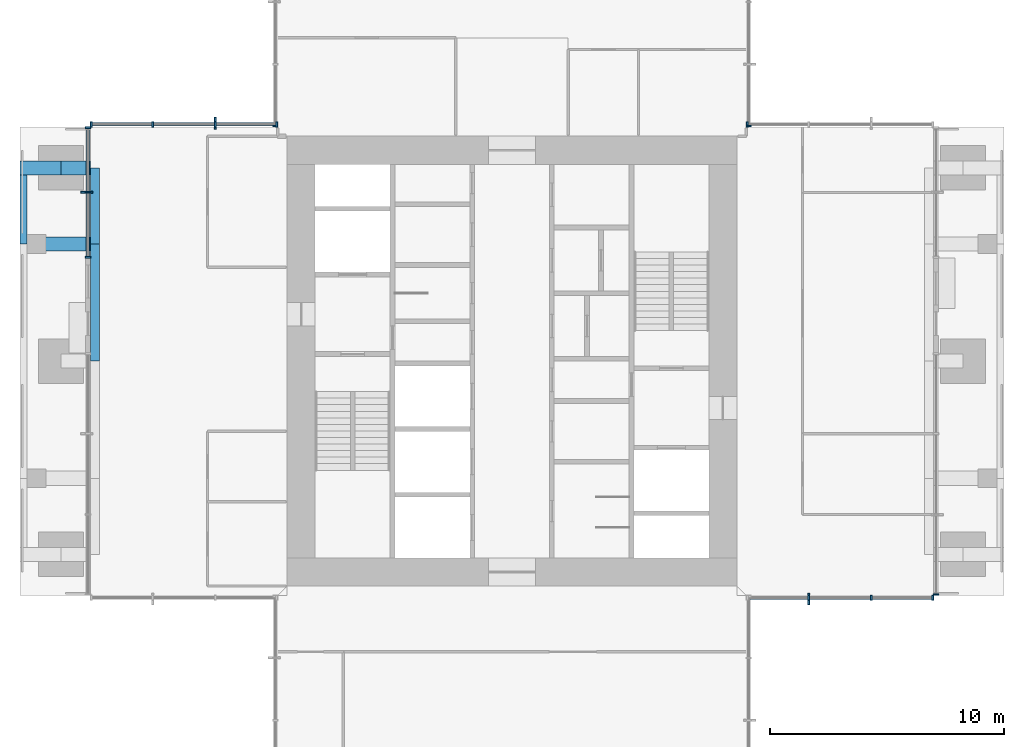
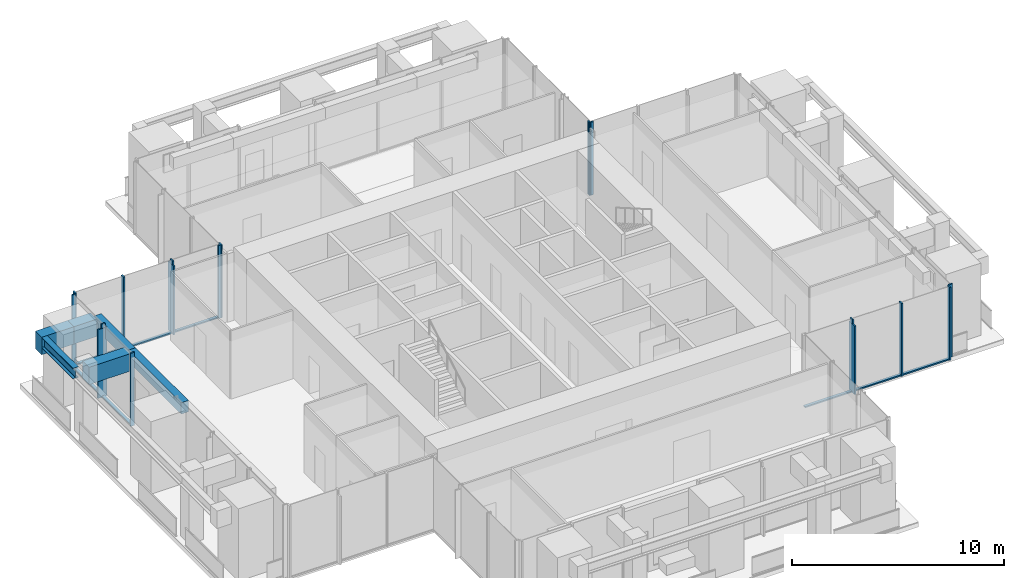
# One storey, part 3 of 12: 25 members, 6 beams, 7 elements without a shape of their own.
"""IFC4 building model written with IfcOpenShell, lengths in metres."""

import ifcopenshell
import ifcopenshell.guid

model = None  # the IFC model being written
_history = None  # IfcOwnerHistory: only IFC2X3 demands one
_inside = {}  # id of a spatial element -> (the spatial element, [elements in it])
_under = {}  # id of a project, library or spatial element -> (it, [spatial elements below it])
_declared = {}  # id of a project -> (the project, [libraries it declares])
_typed = {}  # id of a type object -> (the type object, [elements of that type])
_made_of = {}  # id of a material, layer set ... -> (it, [elements and type objects made of it])


def new_model(schema):
    """Start an empty IFC model of exactly this schema.

    Asked for "IFC4X3", IfcOpenShell would pick the latest addendum, in which some entities
    have other attributes; the version numbers below select the first issue.
    IFC2X3 requires an IfcOwnerHistory on every rooted entity: one is made here for all.
    """
    global model, _history
    if schema == "IFC4X3":
        model = ifcopenshell.file(schema_version=(4, 3, 0, 0))
    else:
        model = ifcopenshell.file(schema=schema)
    _inside.clear()
    _under.clear()
    _declared.clear()
    _typed.clear()
    _made_of.clear()
    _history = None
    if model.schema == "IFC2X3":
        org = make("IfcOrganization", Name="unknown")
        user = make(
            "IfcPersonAndOrganization",
            ThePerson=make("IfcPerson", FamilyName="unknown"),
            TheOrganization=org,
        )
        app = make(
            "IfcApplication",
            ApplicationDeveloper=org,
            Version="unknown",
            ApplicationFullName="unknown",
            ApplicationIdentifier="unknown",
        )
        _history = make(
            "IfcOwnerHistory",
            OwningUser=user,
            OwningApplication=app,
            ChangeAction="ADDED",
            CreationDate=0,
        )
    return model


def make(cls, **values):
    """One entity of the class cls with the attributes given. An attribute that is None is left unset."""
    return model.create_entity(
        cls, **{name: value for name, value in values.items() if value is not None}
    )


def rooted(cls, **values):
    """An entity with a GlobalId (a new one), such as an element, a storey or a relation."""
    return make(cls, GlobalId=ifcopenshell.guid.new(), OwnerHistory=_history, **values)


def si_unit(unit_type, name, prefix=None):
    """IfcSIUnit, for example si_unit("LENGTHUNIT", "METRE", prefix="MILLI")."""
    return make("IfcSIUnit", UnitType=unit_type, Prefix=prefix, Name=name)


def assignment(units):
    """IfcUnitAssignment: the units of a project."""
    return None if units is None else make("IfcUnitAssignment", Units=units)


def point(xyz):
    """IfcCartesianPoint."""
    return None if xyz is None else make("IfcCartesianPoint", Coordinates=xyz)


def direction(xyz):
    """IfcDirection."""
    return None if xyz is None else make("IfcDirection", DirectionRatios=xyz)


def frame(location, z_axis=None, x_axis=None):
    """IfcAxis2Placement3D, a coordinate frame: its origin and axes. An axis left out is left unset."""
    return make(
        "IfcAxis2Placement3D",
        Location=point(location),
        Axis=direction(z_axis),
        RefDirection=direction(x_axis),
    )


def frame_2d(location, x_axis=None):
    """IfcAxis2Placement2D, a coordinate frame in the plane: its origin and x axis."""
    return make(
        "IfcAxis2Placement2D", Location=point(location), RefDirection=direction(x_axis)
    )


def origin():
    """The frame at (0, 0, 0) with its axes left unset."""
    return frame((0.0, 0.0, 0.0))


def origin_2d():
    """The frame at (0, 0) in the plane with its x axis left unset."""
    return frame_2d((0.0, 0.0))


def place(relative_to, where):
    """IfcLocalPlacement: puts the frame where relative to a parent placement (None: the world)."""
    return make(
        "IfcLocalPlacement", PlacementRelTo=relative_to, RelativePlacement=where
    )


def context(
    kind, dimensions, precision=None, world=None, true_north=None, identifier=None
):
    """IfcGeometricRepresentationContext, for example the 3D "Model" context."""
    return make(
        "IfcGeometricRepresentationContext",
        ContextIdentifier=identifier,
        ContextType=kind,
        CoordinateSpaceDimension=dimensions,
        Precision=precision,
        WorldCoordinateSystem=world,
        TrueNorth=true_north,
    )


def subcontext(parent, identifier, kind, view, scale=None):
    """IfcGeometricRepresentationSubContext, for example "Body" below "Model"."""
    return make(
        "IfcGeometricRepresentationSubContext",
        ContextIdentifier=identifier,
        ContextType=kind,
        ParentContext=parent,
        TargetScale=scale,
        TargetView=view,
    )


def project(units=None, contexts=None):
    """IfcProject with its units and contexts."""
    return rooted(
        "IfcProject",
        Name="project",
        RepresentationContexts=contexts,
        UnitsInContext=assignment(units),
    )


def spatial(cls, under=None, at=None, **own):
    """A site, building, storey or space (cls), placed at a placement, below another one or the project."""
    s = rooted(cls, ObjectPlacement=at, **own)
    if under is not None:
        _under.setdefault(under.id(), (under, []))[1].append(s)
    return s


def profile(cls, at=None, kind="AREA", **sizes):
    """A parametric profile (cls). Its sizes go by their IFC names, for example OverallWidth=200.0."""
    return make(cls, ProfileType=kind, Position=at, **sizes)


def rectangle(**sizes):
    """IfcRectangleProfileDef."""
    return profile("IfcRectangleProfileDef", **sizes)


def i_section(**sizes):
    """IfcIShapeProfileDef."""
    return profile("IfcIShapeProfileDef", **sizes)


def extrude(swept, where, along, depth):
    """IfcExtrudedAreaSolid: the profile swept, set in the frame where, extruded along a direction by depth."""
    return make(
        "IfcExtrudedAreaSolid",
        SweptArea=swept,
        Position=where,
        ExtrudedDirection=direction(along),
        Depth=depth,
    )


def shape(context_of_items, identifier, shape_type, items):
    """IfcShapeRepresentation: the items that make up one representation, for example the "Body"."""
    return make(
        "IfcShapeRepresentation",
        ContextOfItems=context_of_items,
        RepresentationIdentifier=identifier,
        RepresentationType=shape_type,
        Items=items,
    )


def material(Name=None, Category=None):
    """IfcMaterial."""
    return make("IfcMaterial", Name=Name, Category=Category)


def material_profile(
    of_material, cross_section, Name=None, Category=None, Priority=None
):
    """IfcMaterialProfile: a cross section and its material."""
    return make(
        "IfcMaterialProfile",
        Name=Name,
        Material=of_material,
        Profile=cross_section,
        Priority=Priority,
        Category=Category,
    )


def profile_set(profiles, Name=None, composite=None):
    """IfcMaterialProfileSet."""
    return make(
        "IfcMaterialProfileSet",
        Name=Name,
        MaterialProfiles=profiles,
        CompositeProfile=composite,
    )


def made_of(thing, what):
    """Note that an element or type object is made of a material, layer set ...; save() writes the relation."""
    if what is not None:
        _made_of.setdefault(what.id(), (what, []))[1].append(thing)
    return thing


def type_object(cls, material=None, **own):
    """A type object (cls), such as IfcWallType, which elements share."""
    return made_of(rooted(cls, **own), material)


def element(
    cls,
    number,
    at=None,
    inside=None,
    cuts=None,
    type_object=None,
    material=None,
    context=None,
    identifier="Body",
    shape_type=None,
    held_by="IfcProductDefinitionShape",
    body=None,
    shapes=None,
    **own,
):
    """One element of the class cls, such as IfcWall. Its Tag is "e" and its number.

    at: its placement. inside: the storey or other place that contains it. cuts: it is an
    opening in that element (IfcRelVoidsElement). A single representation is given by context,
    identifier, shape_type and body (its items); several are given by shapes. held_by: the class
    of the entity that holds the representations. save() writes the other relations.
    """
    e = rooted(cls, Tag="e%d" % number, ObjectPlacement=at, **own)
    if body is not None:
        shapes = [shape(context, identifier, shape_type, body)]
    if shapes is not None:
        e.Representation = make(held_by, Representations=shapes)
    if inside is not None:
        _inside.setdefault(inside.id(), (inside, []))[1].append(e)
    if cuts is not None:
        rooted(
            "IfcRelVoidsElement", RelatingBuildingElement=cuts, RelatedOpeningElement=e
        )
    if type_object is not None:
        _typed.setdefault(type_object.id(), (type_object, []))[1].append(e)
    return made_of(e, material)


def aggregate(whole, parts):
    """IfcRelAggregates: a whole, such as a stair, and the parts it consists of."""
    return rooted("IfcRelAggregates", RelatingObject=whole, RelatedObjects=parts)


def save(model, path):
    """Write the relations noted so far, then the file.

    IfcRelAggregates (storeys below a building ...), IfcRelContainedInSpatialStructure (elements
    in a storey), IfcRelDefinesByType, IfcRelAssociatesMaterial and IfcRelDeclares: one each for
    every whole, place, type object, material and project.
    """
    for whole, parts in _under.values():
        aggregate(whole, parts)
    for where, things in _inside.values():
        rooted(
            "IfcRelContainedInSpatialStructure",
            RelatedElements=things,
            RelatingStructure=where,
        )
    for kind, things in _typed.values():
        rooted("IfcRelDefinesByType", RelatedObjects=things, RelatingType=kind)
    for what, things in _made_of.values():
        rooted("IfcRelAssociatesMaterial", RelatedObjects=things, RelatingMaterial=what)
    for by, libraries in _declared.values():
        rooted("IfcRelDeclares", RelatingContext=by, RelatedDefinitions=libraries)
    model.write(path)


model = new_model("IFC4")

# Units and contexts
model_context = context("Model", 3, precision=1e-05, world=origin(), true_north=direction((0.0, 1.0)))
body_context = subcontext(model_context, "Body", "Model", "MODEL_VIEW")
ifc_project = project(units=[si_unit("LENGTHUNIT", "METRE"), si_unit("AREAUNIT", "SQUARE_METRE"), si_unit("VOLUMEUNIT", "CUBIC_METRE"), si_unit("PLANEANGLEUNIT", "RADIAN"), si_unit("MASSUNIT", "GRAM", prefix="KILO")], contexts=[model_context])

# Site, building, storey
site_placement = place(None, origin())
site = spatial("IfcSite", under=ifc_project, at=site_placement, CompositionType="ELEMENT")
building_placement = place(site_placement, origin())
building = spatial("IfcBuilding", under=site, at=building_placement, Name="Svetlomir Tower", CompositionType="ELEMENT")
storey_placement = place(building_placement, frame((0.0, 0.0, 265.0)))
storey = spatial("IfcBuildingStorey", under=building, at=storey_placement, Name="L63", CompositionType="ELEMENT", Elevation=265.0)

# Curtain wall, member
ifc_material_1 = material(Name="Bronze anodised aluminium curtain wall", Category="aluminium")
curtain_wall_type = type_object("IfcCurtainWallType", Name="CURTAIN WALL CW4 EXECUTIVE", PredefinedType="NOTDEFINED", material=ifc_material_1)
curtain_wall_1_placement = place(storey_placement, origin())
curtain_wall_1 = element("IfcCurtainWall", 1, at=curtain_wall_1_placement, inside=storey, type_object=curtain_wall_type, Name="Curtain wall CW4 L63", PredefinedType="NOTDEFINED")
ifc_material_2 = material(Name="Bronze anodised aluminium", Category="aluminium")
ifc_material_profile_1 = material_profile(ifc_material_2, rectangle(XDim=0.080078125, YDim=0.5, at=origin_2d()), Name="FIN 80x500")
ifc_profile_set_1 = profile_set([ifc_material_profile_1], Name="Bronze anodised aluminium 6063-T6")
member_type_1 = type_object("IfcMemberType", Name="BRONZE FIN 80x500", PredefinedType="USERDEFINED", material=ifc_profile_set_1)
member_1_placement = place(storey_placement, frame((33.666748046875, 10.85009765625, 0.0), z_axis=(0.0, 0.0, 1.0), x_axis=(1.0, 0.0, 0.0)))
member_1 = element("IfcMember", 2, at=member_1_placement, type_object=member_type_1, Name="Bronze fin L63", ObjectType="FIN", PredefinedType="USERDEFINED", context=body_context, shape_type="SweptSolid", body=[
    extrude(rectangle(XDim=0.080078125, YDim=0.5, at=origin_2d()), origin(), (0.0, 0.0, 1.0), 3.949951171875),
])

curtain_wall_2_placement = place(storey_placement, origin())
curtain_wall_2 = element("IfcCurtainWall", 3, at=curtain_wall_2_placement, inside=storey, type_object=curtain_wall_type, Name="Curtain wall CW4 L63", PredefinedType="NOTDEFINED")
member_2_placement = place(storey_placement, frame((8.333251953125, 31.14990234375, 0.0), z_axis=(0.0, 0.0, 1.0), x_axis=(1.0, 0.0, 0.0)))
member_2 = element("IfcMember", 4, at=member_2_placement, type_object=member_type_1, Name="Bronze fin L63", ObjectType="FIN", PredefinedType="USERDEFINED", context=body_context, shape_type="SweptSolid", body=[
    extrude(rectangle(XDim=0.080078125, YDim=0.5, at=origin_2d()), origin(), (0.0, 0.0, 1.0), 3.949951171875),
])

curtain_wall_3_placement = place(storey_placement, origin())
curtain_wall_3 = element("IfcCurtainWall", 5, at=curtain_wall_3_placement, inside=storey, type_object=curtain_wall_type, Name="Curtain wall CW4 L63", PredefinedType="NOTDEFINED")
member_3_placement = place(storey_placement, frame((2.85009765625, 28.199951171875, 0.0), z_axis=(0.0, 0.0, 1.0), x_axis=(0.0, 1.0, 0.0)))
member_3 = element("IfcMember", 6, at=member_3_placement, type_object=member_type_1, Name="Bronze fin L63", ObjectType="FIN", PredefinedType="USERDEFINED", context=body_context, shape_type="SweptSolid", body=[
    extrude(rectangle(XDim=0.080078125, YDim=0.5, at=origin_2d()), origin(), (0.0, 0.0, 1.0), 3.949951171875),
])

# Member
ifc_material_3 = material(Name="Bronze anodised aluminium", Category="aluminium")
ifc_material_profile_2 = material_profile(ifc_material_3, rectangle(XDim=0.074951171875, YDim=0.219970703125, at=origin_2d()), Name="AL 75x220")
ifc_profile_set_2 = profile_set([ifc_material_profile_2], Name="Bronze anodised aluminium 6063-T6")
member_type_2 = type_object("IfcMemberType", Name="CW4 MULLION 75x220", PredefinedType="MULLION", material=ifc_profile_set_2)
member_4_placement = place(storey_placement, frame((33.666748046875, 10.89990234375, 0.0), z_axis=(0.0, 0.0, 1.0), x_axis=(1.0, 0.0, 0.0)))
member_4 = element("IfcMember", 7, at=member_4_placement, type_object=member_type_2, Name="CW4 mullion 2", PredefinedType="MULLION", context=body_context, shape_type="SweptSolid", body=[
    extrude(rectangle(XDim=0.074951171875, YDim=0.219970703125, at=origin_2d()), origin(), (0.0, 0.0, 1.0), 4.199951171875),
])

member_5_placement = place(storey_placement, frame((36.333251953125, 10.89990234375, 0.0), z_axis=(0.0, 0.0, 1.0), x_axis=(1.0, 0.0, 0.0)))
member_5 = element("IfcMember", 8, at=member_5_placement, type_object=member_type_2, Name="CW4 mullion 3", PredefinedType="MULLION", context=body_context, shape_type="SweptSolid", body=[
    extrude(rectangle(XDim=0.074951171875, YDim=0.219970703125, at=origin_2d()), origin(), (0.0, 0.0, 1.0), 4.199951171875),
])

member_6_placement = place(storey_placement, frame((38.96240234375, 10.89990234375, 0.0), z_axis=(0.0, 0.0, 1.0), x_axis=(1.0, 0.0, 0.0)))
member_6 = element("IfcMember", 9, at=member_6_placement, type_object=member_type_2, Name="CW4 mullion 4", PredefinedType="MULLION", context=body_context, shape_type="SweptSolid", body=[
    extrude(rectangle(XDim=0.074951171875, YDim=0.219970703125, at=origin_2d()), origin(), (0.0, 0.0, 1.0), 4.199951171875),
])

# Curtain wall, member
curtain_wall_4_placement = place(storey_placement, origin())
curtain_wall_4 = element("IfcCurtainWall", 10, at=curtain_wall_4_placement, inside=storey, type_object=curtain_wall_type, Name="Curtain wall CW4 L63", PredefinedType="NOTDEFINED")
member_7_placement = place(storey_placement, frame((39.10009765625, 11.03759765625, 0.0), z_axis=(0.0, 0.0, 1.0), x_axis=(0.0, 1.0, 0.0)))
member_7 = element("IfcMember", 11, at=member_7_placement, type_object=member_type_2, Name="CW4 mullion 1", PredefinedType="MULLION", context=body_context, shape_type="SweptSolid", body=[
    extrude(rectangle(XDim=0.074951171875, YDim=0.219970703125, at=origin_2d()), origin(), (0.0, 0.0, 1.0), 4.199951171875),
])
aggregate(curtain_wall_4, [member_7])

curtain_wall_5_placement = place(storey_placement, origin())
curtain_wall_5 = element("IfcCurtainWall", 12, at=curtain_wall_5_placement, inside=storey, type_object=curtain_wall_type, Name="Curtain wall CW4 L63", PredefinedType="NOTDEFINED")
member_8_placement = place(storey_placement, frame((31.03759765625, 31.10009765625, 0.0), z_axis=(0.0, 0.0, 1.0), x_axis=(-1.0, 0.0, 0.0)))
member_8 = element("IfcMember", 13, at=member_8_placement, type_object=member_type_2, Name="CW4 mullion 4", PredefinedType="MULLION", context=body_context, shape_type="SweptSolid", body=[
    extrude(rectangle(XDim=0.074951171875, YDim=0.219970703125, at=origin_2d()), origin(), (0.0, 0.0, 1.0), 4.199951171875),
])
aggregate(curtain_wall_5, [member_8])

curtain_wall_6_placement = place(storey_placement, origin())
curtain_wall_6 = element("IfcCurtainWall", 14, at=curtain_wall_6_placement, inside=storey, type_object=curtain_wall_type, Name="Curtain wall CW4 L63", PredefinedType="NOTDEFINED")
member_9_placement = place(storey_placement, frame((31.10009765625, 31.03759765625, 0.0), z_axis=(0.0, 0.0, 1.0), x_axis=(0.0, 1.0, 0.0)))
member_9 = element("IfcMember", 15, at=member_9_placement, type_object=member_type_2, Name="CW4 mullion 1", PredefinedType="MULLION", context=body_context, shape_type="SweptSolid", body=[
    extrude(rectangle(XDim=0.074951171875, YDim=0.219970703125, at=origin_2d()), origin(), (0.0, 0.0, 1.0), 4.199951171875),
])
aggregate(curtain_wall_6, [member_9])

curtain_wall_7_placement = place(storey_placement, origin())
curtain_wall_7 = element("IfcCurtainWall", 16, at=curtain_wall_7_placement, inside=storey, type_object=curtain_wall_type, Name="Curtain wall CW4 L63", PredefinedType="NOTDEFINED")
member_10_placement = place(storey_placement, frame((10.89990234375, 31.03759765625, 0.0), z_axis=(0.0, 0.0, 1.0), x_axis=(0.0, -1.0, 0.0)))
member_10 = element("IfcMember", 17, at=member_10_placement, type_object=member_type_2, Name="CW4 mullion 4", PredefinedType="MULLION", context=body_context, shape_type="SweptSolid", body=[
    extrude(rectangle(XDim=0.074951171875, YDim=0.219970703125, at=origin_2d()), origin(), (0.0, 0.0, 1.0), 4.199951171875),
])
aggregate(curtain_wall_7, [member_10])

# Member
member_11_placement = place(storey_placement, frame((10.96240234375, 31.10009765625, 0.0), z_axis=(0.0, 0.0, 1.0), x_axis=(-1.0, 0.0, 0.0)))
member_11 = element("IfcMember", 18, at=member_11_placement, type_object=member_type_2, Name="CW4 mullion 1", PredefinedType="MULLION", context=body_context, shape_type="SweptSolid", body=[
    extrude(rectangle(XDim=0.074951171875, YDim=0.219970703125, at=origin_2d()), origin(), (0.0, 0.0, 1.0), 4.199951171875),
])

member_12_placement = place(storey_placement, frame((8.333251953125, 31.10009765625, 0.0), z_axis=(0.0, 0.0, 1.0), x_axis=(-1.0, 0.0, 0.0)))
member_12 = element("IfcMember", 19, at=member_12_placement, type_object=member_type_2, Name="CW4 mullion 2", PredefinedType="MULLION", context=body_context, shape_type="SweptSolid", body=[
    extrude(rectangle(XDim=0.074951171875, YDim=0.219970703125, at=origin_2d()), origin(), (0.0, 0.0, 1.0), 4.199951171875),
])

member_13_placement = place(storey_placement, frame((5.666748046875, 31.10009765625, 0.0), z_axis=(0.0, 0.0, 1.0), x_axis=(-1.0, 0.0, 0.0)))
member_13 = element("IfcMember", 20, at=member_13_placement, type_object=member_type_2, Name="CW4 mullion 3", PredefinedType="MULLION", context=body_context, shape_type="SweptSolid", body=[
    extrude(rectangle(XDim=0.074951171875, YDim=0.219970703125, at=origin_2d()), origin(), (0.0, 0.0, 1.0), 4.199951171875),
])

member_14_placement = place(storey_placement, frame((3.03759765625, 31.10009765625, 0.0), z_axis=(0.0, 0.0, 1.0), x_axis=(-1.0, 0.0, 0.0)))
member_14 = element("IfcMember", 21, at=member_14_placement, type_object=member_type_2, Name="CW4 mullion 4", PredefinedType="MULLION", context=body_context, shape_type="SweptSolid", body=[
    extrude(rectangle(XDim=0.074951171875, YDim=0.219970703125, at=origin_2d()), origin(), (0.0, 0.0, 1.0), 4.199951171875),
])

member_15_placement = place(storey_placement, frame((2.89990234375, 30.96240234375, 0.0), z_axis=(0.0, 0.0, 1.0), x_axis=(0.0, -1.0, 0.0)))
member_15 = element("IfcMember", 22, at=member_15_placement, type_object=member_type_2, Name="CW4 mullion 1", PredefinedType="MULLION", context=body_context, shape_type="SweptSolid", body=[
    extrude(rectangle(XDim=0.074951171875, YDim=0.219970703125, at=origin_2d()), origin(), (0.0, 0.0, 1.0), 4.199951171875),
])

member_16_placement = place(storey_placement, frame((2.89990234375, 28.199951171875, 0.0), z_axis=(0.0, 0.0, 1.0), x_axis=(0.0, -1.0, 0.0)))
member_16 = element("IfcMember", 23, at=member_16_placement, type_object=member_type_2, Name="CW4 mullion 2", PredefinedType="MULLION", context=body_context, shape_type="SweptSolid", body=[
    extrude(rectangle(XDim=0.074951171875, YDim=0.219970703125, at=origin_2d()), origin(), (0.0, 0.0, 1.0), 4.199951171875),
])

member_17_placement = place(storey_placement, frame((2.89990234375, 25.4375, 0.0), z_axis=(0.0, 0.0, 1.0), x_axis=(0.0, -1.0, 0.0)))
member_17 = element("IfcMember", 24, at=member_17_placement, type_object=member_type_2, Name="CW4 mullion 3", PredefinedType="MULLION", context=body_context, shape_type="SweptSolid", body=[
    extrude(rectangle(XDim=0.074951171875, YDim=0.219970703125, at=origin_2d()), origin(), (0.0, 0.0, 1.0), 4.199951171875),
])

ifc_material_4 = material(Name="Bronze anodised aluminium", Category="aluminium")
ifc_material_profile_3 = material_profile(ifc_material_4, rectangle(XDim=0.14990234375, YDim=0.074951171875, at=origin_2d()), Name="AL 150x75")
ifc_profile_set_3 = profile_set([ifc_material_profile_3], Name="Bronze anodised aluminium 6063-T6")
member_type_3 = type_object("IfcMemberType", Name="CW4 TRANSOM 75x150", PredefinedType="USERDEFINED", material=ifc_profile_set_3)
member_18_placement = place(storey_placement, frame((31.074951171875, 10.89990234375, 0.03759765625), z_axis=(1.0, 0.0, 0.0), x_axis=(0.0, 1.0, 0.0)))
member_18 = element("IfcMember", 25, at=member_18_placement, type_object=member_type_3, Name="CW4 transom 1.1", ObjectType="TRANSOM", PredefinedType="USERDEFINED", context=body_context, shape_type="SweptSolid", body=[
    extrude(rectangle(XDim=0.14990234375, YDim=0.074951171875, at=origin_2d()), origin(), (0.0, 0.0, 1.0), 2.55419921875),
])

member_19_placement = place(storey_placement, frame((33.7041015625, 10.89990234375, 0.03759765625), z_axis=(1.0, 0.0, 0.0), x_axis=(0.0, 1.0, 0.0)))
member_19 = element("IfcMember", 26, at=member_19_placement, type_object=member_type_3, Name="CW4 transom 2.1", ObjectType="TRANSOM", PredefinedType="USERDEFINED", context=body_context, shape_type="SweptSolid", body=[
    extrude(rectangle(XDim=0.14990234375, YDim=0.074951171875, at=origin_2d()), origin(), (0.0, 0.0, 1.0), 2.591796875),
])

member_20_placement = place(storey_placement, frame((36.370849609375, 10.89990234375, 0.03759765625), z_axis=(1.0, 0.0, 0.0), x_axis=(0.0, 1.0, 0.0)))
member_20 = element("IfcMember", 27, at=member_20_placement, type_object=member_type_3, Name="CW4 transom 3.1", ObjectType="TRANSOM", PredefinedType="USERDEFINED", context=body_context, shape_type="SweptSolid", body=[
    extrude(rectangle(XDim=0.14990234375, YDim=0.074951171875, at=origin_2d()), origin(), (0.0, 0.0, 1.0), 2.55419921875),
])

aggregate(curtain_wall_1, [member_4, member_5, member_6, member_18, member_19, member_20, member_1])

member_21_placement = place(storey_placement, frame((10.925048828125, 31.10009765625, 0.03759765625), z_axis=(-1.0, 0.0, 0.0), x_axis=(0.0, -1.0, 0.0)))
member_21 = element("IfcMember", 28, at=member_21_placement, type_object=member_type_3, Name="CW4 transom 1.1", ObjectType="TRANSOM", PredefinedType="USERDEFINED", context=body_context, shape_type="SweptSolid", body=[
    extrude(rectangle(XDim=0.14990234375, YDim=0.074951171875, at=origin_2d()), origin(), (0.0, 0.0, 1.0), 2.55419921875),
])

member_22_placement = place(storey_placement, frame((8.2958984375, 31.10009765625, 0.03759765625), z_axis=(-1.0, 0.0, 0.0), x_axis=(0.0, -1.0, 0.0)))
member_22 = element("IfcMember", 29, at=member_22_placement, type_object=member_type_3, Name="CW4 transom 2.1", ObjectType="TRANSOM", PredefinedType="USERDEFINED", context=body_context, shape_type="SweptSolid", body=[
    extrude(rectangle(XDim=0.14990234375, YDim=0.074951171875, at=origin_2d()), origin(), (0.0, 0.0, 1.0), 2.591796875),
])

member_23_placement = place(storey_placement, frame((5.629150390625, 31.10009765625, 0.03759765625), z_axis=(-1.0, 0.0, 0.0), x_axis=(0.0, -1.0, 0.0)))
member_23 = element("IfcMember", 30, at=member_23_placement, type_object=member_type_3, Name="CW4 transom 3.1", ObjectType="TRANSOM", PredefinedType="USERDEFINED", context=body_context, shape_type="SweptSolid", body=[
    extrude(rectangle(XDim=0.14990234375, YDim=0.074951171875, at=origin_2d()), origin(), (0.0, 0.0, 1.0), 2.55419921875),
])

aggregate(curtain_wall_2, [member_11, member_12, member_13, member_14, member_21, member_22, member_23, member_2])

member_24_placement = place(storey_placement, frame((2.89990234375, 30.925048828125, 0.03759765625), z_axis=(0.0, -1.0, 0.0), x_axis=(1.0, 0.0, 0.0)))
member_24 = element("IfcMember", 31, at=member_24_placement, type_object=member_type_3, Name="CW4 transom 1.1", ObjectType="TRANSOM", PredefinedType="USERDEFINED", context=body_context, shape_type="SweptSolid", body=[
    extrude(rectangle(XDim=0.14990234375, YDim=0.074951171875, at=origin_2d()), origin(), (0.0, 0.0, 1.0), 2.6875),
])

member_25_placement = place(storey_placement, frame((2.89990234375, 28.16259765625, 0.03759765625), z_axis=(0.0, -1.0, 0.0), x_axis=(1.0, 0.0, 0.0)))
member_25 = element("IfcMember", 32, at=member_25_placement, type_object=member_type_3, Name="CW4 transom 2.1", ObjectType="TRANSOM", PredefinedType="USERDEFINED", context=body_context, shape_type="SweptSolid", body=[
    extrude(rectangle(XDim=0.14990234375, YDim=0.074951171875, at=origin_2d()), origin(), (0.0, 0.0, 1.0), 2.6875),
])

aggregate(curtain_wall_3, [member_15, member_16, member_17, member_24, member_25, member_3])

# Beams
ifc_material_5 = material(Name="Steel S355", Category="steel")
ifc_material_profile_4 = material_profile(ifc_material_5, i_section(OverallWidth=0.304931640625, OverallDepth=0.6201171875, WebThickness=0.02099609375, FlangeThickness=0.0400390625, FilletRadius=0.027099609375, at=origin_2d()), Name="HEM 600")
ifc_profile_set_4 = profile_set([ifc_material_profile_4], Name="Steel S355")
beam_type_1 = type_object("IfcBeamType", Name="EDGE BEAM HEM 600", PredefinedType="SPANDREL", material=ifc_profile_set_4)
beam_1_placement = place(storey_placement, frame((0.152587890625, 26.0, 3.639892578125), z_axis=(0.0, 1.0, 0.0), x_axis=(-1.0, 0.0, 0.0)))
element("IfcBeam", 33, at=beam_1_placement, inside=storey, type_object=beam_type_1, Name="Edge beam 0/26 to 0/31 under L64", PredefinedType="SPANDREL", context=body_context, shape_type="SweptSolid", body=[
    extrude(i_section(OverallWidth=0.304931640625, OverallDepth=0.6201171875, WebThickness=0.02099609375, FlangeThickness=0.0400390625, FilletRadius=0.027099609375, at=origin_2d()), origin(), (0.0, 0.0, 1.0), 2.949951171875),
])
ifc_material_6 = material(Name="Concrete C60/75", Category="concrete")
ifc_material_profile_5 = material_profile(ifc_material_6, rectangle(XDim=0.60009765625, YDim=1.0, at=origin_2d()), Name="RC 600x1000")
ifc_profile_set_5 = profile_set([ifc_material_profile_5], Name="Concrete C60/75")
beam_type_2 = type_object("IfcBeamType", Name="EDGE LINK BEAM RC 600x1000", PredefinedType="BEAM", material=ifc_profile_set_5)
beam_2_placement = place(storey_placement, frame((1.75, 29.25, 3.449951171875), z_axis=(-1.0, 0.0, 0.0), x_axis=(0.0, -1.0, 0.0)))
element("IfcBeam", 34, at=beam_2_placement, inside=storey, type_object=beam_type_2, Name="Edge link beam W 0/31 under L64", PredefinedType="BEAM", context=body_context, shape_type="SweptSolid", body=[
    extrude(rectangle(XDim=0.60009765625, YDim=1.0, at=origin_2d()), origin(), (0.0, 0.0, 1.0), 1.75),
])
ifc_material_7 = material(Name="Concrete C60/75", Category="concrete")
ifc_material_profile_6 = material_profile(ifc_material_7, rectangle(XDim=0.39990234375, YDim=0.64990234375, at=origin_2d()), Name="RC 400x650")
ifc_profile_set_6 = profile_set([ifc_material_profile_6], Name="Concrete C60/75")
beam_type_3 = type_object("IfcBeamType", Name="FACADE EDGE BEAM RC 400x650", PredefinedType="BEAM", material=ifc_profile_set_6)
beam_3_placement = place(storey_placement, frame((3.199951171875, 21.0, 3.625), z_axis=(0.0, 1.0, 0.0), x_axis=(-1.0, 0.0, 0.0)))
element("IfcBeam", 35, at=beam_3_placement, inside=storey, type_object=beam_type_3, Name="Facade edge beam W 21 to 26 under L64", PredefinedType="BEAM", context=body_context, shape_type="SweptSolid", body=[
    extrude(rectangle(XDim=0.39990234375, YDim=0.64990234375, at=origin_2d()), origin(), (0.0, 0.0, 1.0), 5.0),
])
beam_4_placement = place(storey_placement, frame((3.199951171875, 26.0, 3.625), z_axis=(0.0, 1.0, 0.0), x_axis=(-1.0, 0.0, 0.0)))
element("IfcBeam", 36, at=beam_4_placement, inside=storey, type_object=beam_type_3, Name="Facade edge beam W 26 to 31 under L64", PredefinedType="BEAM", context=body_context, shape_type="SweptSolid", body=[
    extrude(rectangle(XDim=0.39990234375, YDim=0.64990234375, at=origin_2d()), origin(), (0.0, 0.0, 1.0), 3.25),
])
ifc_material_8 = material(Name="Concrete C60/75", Category="concrete")
ifc_material_profile_7 = material_profile(ifc_material_8, rectangle(XDim=0.60009765625, YDim=1.0, at=origin_2d()), Name="RC 600x1000")
ifc_profile_set_7 = profile_set([ifc_material_profile_7], Name="Concrete C60/75")
beam_type_4 = type_object("IfcBeamType", Name="LOGGIA LINK BEAM RC 600x1000", PredefinedType="BEAM", material=ifc_profile_set_7)
beam_5_placement = place(storey_placement, frame((0.699951171875, 26.0, 3.449951171875), z_axis=(1.0, 0.0, 0.0), x_axis=(0.0, 1.0, 0.0)))
element("IfcBeam", 37, at=beam_5_placement, inside=storey, type_object=beam_type_4, Name="Loggia link beam W 26 under L64", PredefinedType="BEAM", context=body_context, shape_type="SweptSolid", body=[
    extrude(rectangle(XDim=0.60009765625, YDim=1.0, at=origin_2d()), origin(), (0.0, 0.0, 1.0), 2.300048828125),
])
beam_6_placement = place(storey_placement, frame((1.75, 29.25, 3.449951171875), z_axis=(1.0, 0.0, 0.0), x_axis=(0.0, 1.0, 0.0)))
element("IfcBeam", 38, at=beam_6_placement, inside=storey, type_object=beam_type_4, Name="Loggia link beam W 31 under L64", PredefinedType="BEAM", context=body_context, shape_type="SweptSolid", body=[
    extrude(rectangle(XDim=0.60009765625, YDim=1.0, at=origin_2d()), origin(), (0.0, 0.0, 1.0), 1.25),
])

save(model, "model.ifc")
